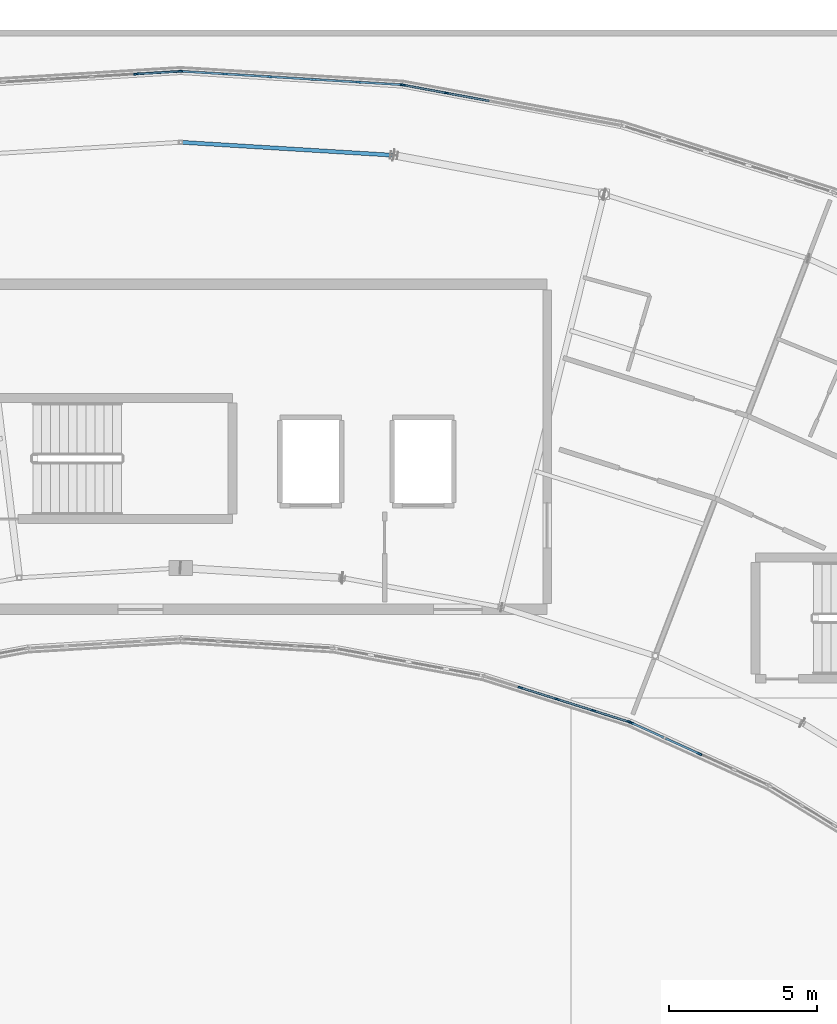
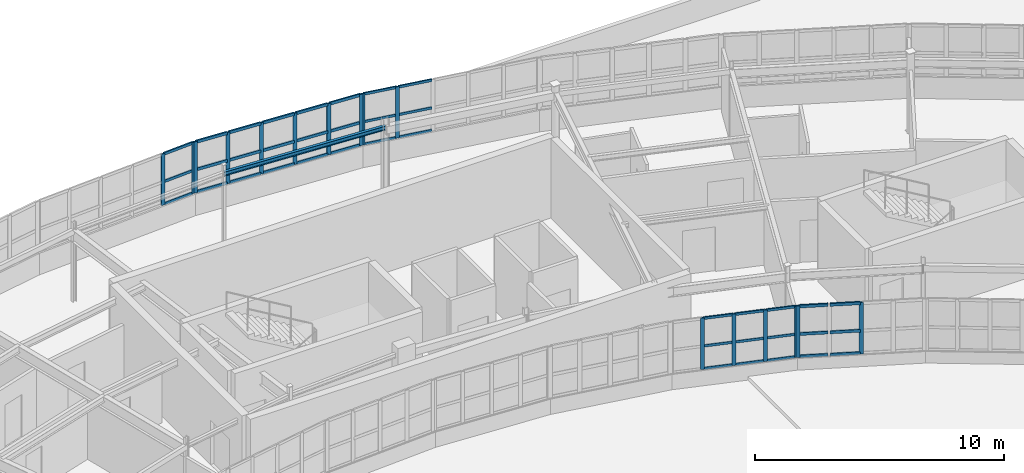
# One storey, part 47 of 128: 55 members, 1 beam, 5 elements without a shape of their own.
"""IFC4 building model written with IfcOpenShell, lengths in metres."""

from ifc_helpers import new_model, si_unit, direction, frame, origin, origin_2d, place, context, subcontext, project, spatial, rectangle, i_section, extrude, material, layer, layer_set, material_profile, profile_set, type_object, element, aggregate, save


model = new_model("IFC4")

# Units and contexts
model_context = context("Model", 3, precision=1e-05, world=origin(), true_north=direction((0.0, 1.0)))
body_context = subcontext(model_context, "Body", "Model", "MODEL_VIEW")
ifc_project = project(units=[si_unit("LENGTHUNIT", "METRE"), si_unit("AREAUNIT", "SQUARE_METRE"), si_unit("VOLUMEUNIT", "CUBIC_METRE"), si_unit("PLANEANGLEUNIT", "RADIAN"), si_unit("MASSUNIT", "GRAM", prefix="KILO")], contexts=[model_context])

# Site, building, storey
site_placement = place(None, origin())
site = spatial("IfcSite", under=ifc_project, at=site_placement, CompositionType="ELEMENT")
building_placement = place(site_placement, origin())
building = spatial("IfcBuilding", under=site, at=building_placement, Name="Tarnwether General Hospital", CompositionType="ELEMENT")
storey_placement = place(building_placement, frame((0.0, 0.0, 14.39990234375)))
storey = spatial("IfcBuildingStorey", under=building, at=storey_placement, Name="L03", CompositionType="ELEMENT", Elevation=14.39990234375)

# Beam
ifc_material_1 = material(Name="Steel Grade 350 (350 MPa)", Category="steel")
ifc_material_profile_1 = material_profile(ifc_material_1, i_section(OverallWidth=0.133056640625, OverallDepth=0.201904296875, WebThickness=0.0048828125, FlangeThickness=0.007080078125, at=origin_2d()), Name="200UB22.3")
ifc_profile_set_1 = profile_set([ifc_material_profile_1], Name="Steel Grade 350 (350 MPa)")
beam_type = type_object("IfcBeamType", Name="BM-SP6", PredefinedType="SPANDREL", material=ifc_profile_set_1)
beam_placement = place(storey_placement, frame((92.0, 122.199951171875, 3.458984375), z_axis=(0.998137964221, -0.060996757127, 0.0), x_axis=(0.060996757127, 0.998137964221, 0.0)))
element("IfcBeam", 1, at=beam_placement, inside=storey, type_object=beam_type, Name="Curved Ward NW Outer Spandrel BMG-L03-9200_12220-9922_12176-1937", PredefinedType="SPANDREL", context=body_context, shape_type="SweptSolid", body=[
    extrude(i_section(OverallWidth=0.133056640625, OverallDepth=0.201904296875, WebThickness=0.0048828125, FlangeThickness=0.007080078125, at=origin_2d()), origin(), (0.0, 0.0, 1.0), 7.228515625),
])

# Curtain wall, members
ifc_material_2 = material(Name="Anodised aluminium", Category="aluminium")
ifc_layer_1 = layer(ifc_material_2, 0.159912109375)
ifc_layer_set_1 = layer_set([ifc_layer_1], Name="Anodised aluminium")
curtain_wall_type_1 = type_object("IfcCurtainWallType", Name="CW-03", PredefinedType="NOTDEFINED", material=ifc_layer_set_1)
curtain_wall_1_placement = place(storey_placement, origin())
curtain_wall_1 = element("IfcCurtainWall", 2, at=curtain_wall_1_placement, inside=storey, type_object=curtain_wall_type_1, Name="Curtain Wall CWG-L03-1072_1026-0013", PredefinedType="NOTDEFINED")
ifc_material_3 = material(Name="Anodised aluminium", Category="aluminium")
ifc_material_profile_2 = material_profile(ifc_material_3, rectangle(XDim=0.06005859375, YDim=0.159912109375, at=origin_2d()), Name="ALU-MUL-60x160")
ifc_profile_set_2 = profile_set([ifc_material_profile_2], Name="Anodised aluminium")
member_type_1 = type_object("IfcMemberType", Name="CW-ML1", PredefinedType="MULLION", material=ifc_profile_set_2)
member_1_placement = place(storey_placement, frame((107.16650390625, 102.593017578125, 1.050048828125), z_axis=(0.0, 0.0, 1.0), x_axis=(-0.30071538783, -0.953713927508, 0.0)))
member_1 = element("IfcMember", 3, at=member_1_placement, type_object=member_type_1, Name="CW-03 mullion 1", PredefinedType="MULLION", context=body_context, shape_type="SweptSolid", body=[
    extrude(rectangle(XDim=0.06005859375, YDim=0.159912109375, at=origin_2d()), origin(), (0.0, 0.0, 1.0), 2.510009765625),
])
member_2_placement = place(storey_placement, frame((105.96044921875, 102.97314453125, 1.050048828125), z_axis=(0.0, 0.0, 1.0), x_axis=(-0.30071538783, -0.953713927508, 0.0)))
member_2 = element("IfcMember", 4, at=member_2_placement, type_object=member_type_1, Name="CW-03 mullion 2", PredefinedType="MULLION", context=body_context, shape_type="SweptSolid", body=[
    extrude(rectangle(XDim=0.06005859375, YDim=0.159912109375, at=origin_2d()), origin(), (0.0, 0.0, 1.0), 2.510009765625),
])
member_3_placement = place(storey_placement, frame((104.72607421875, 103.362548828125, 1.050048828125), z_axis=(0.0, 0.0, 1.0), x_axis=(-0.30071538783, -0.953713927508, 0.0)))
member_3 = element("IfcMember", 5, at=member_3_placement, type_object=member_type_1, Name="CW-03 mullion 3", PredefinedType="MULLION", context=body_context, shape_type="SweptSolid", body=[
    extrude(rectangle(XDim=0.06005859375, YDim=0.159912109375, at=origin_2d()), origin(), (0.0, 0.0, 1.0), 2.510009765625),
])
member_4_placement = place(storey_placement, frame((103.491455078125, 103.751708984375, 1.050048828125), z_axis=(0.0, 0.0, 1.0), x_axis=(-0.30071538783, -0.953713927508, 0.0)))
member_4 = element("IfcMember", 6, at=member_4_placement, type_object=member_type_1, Name="CW-03 mullion 4", PredefinedType="MULLION", context=body_context, shape_type="SweptSolid", body=[
    extrude(rectangle(XDim=0.06005859375, YDim=0.159912109375, at=origin_2d()), origin(), (0.0, 0.0, 1.0), 2.510009765625),
])

ifc_material_4 = material(Name="Anodised aluminium", Category="aluminium")
ifc_layer_2 = layer(ifc_material_4, 0.159912109375)
ifc_layer_set_2 = layer_set([ifc_layer_2], Name="Anodised aluminium")
curtain_wall_type_2 = type_object("IfcCurtainWallType", Name="CW-01", PredefinedType="NOTDEFINED", material=ifc_layer_set_2)
curtain_wall_2_placement = place(storey_placement, origin())
curtain_wall_2 = element("IfcCurtainWall", 7, at=curtain_wall_2_placement, inside=storey, type_object=curtain_wall_type_2, Name="Curtain Wall CWG-L03-995_1241-0025", PredefinedType="NOTDEFINED")
member_5_placement = place(storey_placement, frame((99.536376953125, 124.135498046875, 1.050048828125), z_axis=(0.0, 0.0, 1.0), x_axis=(0.182289226614, 0.983244953132, 0.0)))
member_5 = element("IfcMember", 8, at=member_5_placement, type_object=member_type_1, Name="CW-01 mullion 1", PredefinedType="MULLION", context=body_context, shape_type="SweptSolid", body=[
    extrude(rectangle(XDim=0.06005859375, YDim=0.159912109375, at=origin_2d()), origin(), (0.0, 0.0, 1.0), 2.510009765625),
])
member_6_placement = place(storey_placement, frame((100.986083984375, 123.86669921875, 1.050048828125), z_axis=(0.0, 0.0, 1.0), x_axis=(0.182289226614, 0.983244953132, 0.0)))
member_6 = element("IfcMember", 9, at=member_6_placement, type_object=member_type_1, Name="CW-01 mullion 2", PredefinedType="MULLION", context=body_context, shape_type="SweptSolid", body=[
    extrude(rectangle(XDim=0.06005859375, YDim=0.159912109375, at=origin_2d()), origin(), (0.0, 0.0, 1.0), 2.510009765625),
])

curtain_wall_3_placement = place(storey_placement, origin())
curtain_wall_3 = element("IfcCurtainWall", 10, at=curtain_wall_3_placement, inside=storey, type_object=curtain_wall_type_1, Name="Curtain Wall CWG-L03-1119_1004-0014", PredefinedType="NOTDEFINED")
ifc_material_5 = material(Name="Anodised aluminium", Category="aluminium")
ifc_material_profile_3 = material_profile(ifc_material_5, rectangle(XDim=0.070068359375, YDim=0.179931640625, at=origin_2d()), Name="ALU-MUL-70x180")
ifc_profile_set_3 = profile_set([ifc_material_profile_3], Name="Anodised aluminium")
member_type_2 = type_object("IfcMemberType", Name="CW-ML2", PredefinedType="MULLION", material=ifc_profile_set_3)
member_7_placement = place(storey_placement, frame((109.550537109375, 101.510498046875, 1.050048828125), z_axis=(0.0, 0.0, 1.0), x_axis=(-0.41470501572, -0.90995590549, 0.0)))
member_7 = element("IfcMember", 11, at=member_7_placement, type_object=member_type_2, Name="CW-03 mullion 3", PredefinedType="MULLION", context=body_context, shape_type="SweptSolid", body=[
    extrude(rectangle(XDim=0.070068359375, YDim=0.179931640625, at=origin_2d()), origin(), (0.0, 0.0, 1.0), 2.510009765625),
])
member_8_placement = place(storey_placement, frame((107.226806640625, 102.569580078125, 1.050048828125), z_axis=(0.0, 0.0, 1.0), x_axis=(-0.41470501572, -0.90995590549, 0.0)))
member_8 = element("IfcMember", 12, at=member_8_placement, type_object=member_type_2, Name="CW-03 mullion 5", PredefinedType="MULLION", context=body_context, shape_type="SweptSolid", body=[
    extrude(rectangle(XDim=0.070068359375, YDim=0.179931640625, at=origin_2d()), origin(), (0.0, 0.0, 1.0), 2.510009765625),
])

curtain_wall_4_placement = place(storey_placement, origin())
curtain_wall_4 = element("IfcCurtainWall", 13, at=curtain_wall_4_placement, inside=storey, type_object=curtain_wall_type_2, Name="Curtain Wall CWG-L03-920_1246-0026", PredefinedType="NOTDEFINED")
member_9_placement = place(storey_placement, frame((92.034912109375, 124.597900390625, 1.050048828125), z_axis=(0.0, 0.0, 1.0), x_axis=(0.061028962567, 0.998135995608, 0.0)))
member_9 = element("IfcMember", 14, at=member_9_placement, type_object=member_type_2, Name="CW-01 mullion 1", PredefinedType="MULLION", context=body_context, shape_type="SweptSolid", body=[
    extrude(rectangle(XDim=0.070068359375, YDim=0.179931640625, at=origin_2d()), origin(), (0.0, 0.0, 1.0), 2.510009765625),
])
member_10_placement = place(storey_placement, frame((93.50146484375, 124.50830078125, 1.050048828125), z_axis=(0.0, 0.0, 1.0), x_axis=(0.061028962567, 0.998135995608, 0.0)))
member_10 = element("IfcMember", 15, at=member_10_placement, type_object=member_type_2, Name="CW-01 mullion 2", PredefinedType="MULLION", context=body_context, shape_type="SweptSolid", body=[
    extrude(rectangle(XDim=0.070068359375, YDim=0.179931640625, at=origin_2d()), origin(), (0.0, 0.0, 1.0), 2.510009765625),
])
member_11_placement = place(storey_placement, frame((95.002685546875, 124.41650390625, 1.050048828125), z_axis=(0.0, 0.0, 1.0), x_axis=(0.061028962567, 0.998135995608, 0.0)))
member_11 = element("IfcMember", 16, at=member_11_placement, type_object=member_type_2, Name="CW-01 mullion 3", PredefinedType="MULLION", context=body_context, shape_type="SweptSolid", body=[
    extrude(rectangle(XDim=0.070068359375, YDim=0.179931640625, at=origin_2d()), origin(), (0.0, 0.0, 1.0), 2.510009765625),
])
member_12_placement = place(storey_placement, frame((96.504150390625, 124.32470703125, 1.050048828125), z_axis=(0.0, 0.0, 1.0), x_axis=(0.061028962567, 0.998135995608, 0.0)))
member_12 = element("IfcMember", 17, at=member_12_placement, type_object=member_type_2, Name="CW-01 mullion 4", PredefinedType="MULLION", context=body_context, shape_type="SweptSolid", body=[
    extrude(rectangle(XDim=0.070068359375, YDim=0.179931640625, at=origin_2d()), origin(), (0.0, 0.0, 1.0), 2.510009765625),
])
member_13_placement = place(storey_placement, frame((98.005615234375, 124.23291015625, 1.050048828125), z_axis=(0.0, 0.0, 1.0), x_axis=(0.061028962567, 0.998135995608, 0.0)))
member_13 = element("IfcMember", 18, at=member_13_placement, type_object=member_type_2, Name="CW-01 mullion 5", PredefinedType="MULLION", context=body_context, shape_type="SweptSolid", body=[
    extrude(rectangle(XDim=0.070068359375, YDim=0.179931640625, at=origin_2d()), origin(), (0.0, 0.0, 1.0), 2.510009765625),
])
member_14_placement = place(storey_placement, frame((99.47216796875, 124.14306640625, 1.050048828125), z_axis=(0.0, 0.0, 1.0), x_axis=(0.061028962567, 0.998135995608, 0.0)))
member_14 = element("IfcMember", 19, at=member_14_placement, type_object=member_type_2, Name="CW-01 mullion 6", PredefinedType="MULLION", context=body_context, shape_type="SweptSolid", body=[
    extrude(rectangle(XDim=0.070068359375, YDim=0.179931640625, at=origin_2d()), origin(), (0.0, 0.0, 1.0), 2.510009765625),
])

curtain_wall_5_placement = place(storey_placement, origin())
curtain_wall_5 = element("IfcCurtainWall", 20, at=curtain_wall_5_placement, inside=storey, type_object=curtain_wall_type_2, Name="Curtain Wall CWG-L03-845_1241-0027", PredefinedType="NOTDEFINED")
ifc_material_6 = material(Name="Anodised aluminium", Category="aluminium")
ifc_material_profile_4 = material_profile(ifc_material_6, rectangle(XDim=0.06494140625, YDim=0.169921875, at=origin_2d()), Name="ALU-MUL-65x170")
ifc_profile_set_4 = profile_set([ifc_material_profile_4], Name="Anodised aluminium")
member_type_3 = type_object("IfcMemberType", Name="CW-ML3", PredefinedType="MULLION", material=ifc_profile_set_4)
member_15_placement = place(storey_placement, frame((90.49853515625, 124.50830078125, 1.050048828125), z_axis=(0.0, 0.0, 1.0), x_axis=(-0.061028962567, 0.998135995608, 0.0)))
member_15 = element("IfcMember", 21, at=member_15_placement, type_object=member_type_3, Name="CW-01 mullion 5", PredefinedType="MULLION", context=body_context, shape_type="SweptSolid", body=[
    extrude(rectangle(XDim=0.06494140625, YDim=0.169921875, at=origin_2d()), origin(), (0.0, 0.0, 1.0), 2.510009765625),
])
member_16_placement = place(storey_placement, frame((91.967529296875, 124.597900390625, 1.050048828125), z_axis=(0.0, 0.0, 1.0), x_axis=(-0.061028962567, 0.998135995608, 0.0)))
member_16 = element("IfcMember", 22, at=member_16_placement, type_object=member_type_3, Name="CW-01 mullion 6", PredefinedType="MULLION", context=body_context, shape_type="SweptSolid", body=[
    extrude(rectangle(XDim=0.06494140625, YDim=0.169921875, at=origin_2d()), origin(), (0.0, 0.0, 1.0), 2.510009765625),
])

# Member
ifc_material_7 = material(Name="Anodised aluminium", Category="aluminium")
ifc_material_profile_5 = material_profile(ifc_material_7, rectangle(XDim=0.06005859375, YDim=0.1201171875, at=origin_2d()), Name="ALU-TRN-60x120")
ifc_profile_set_5 = profile_set([ifc_material_profile_5], Name="Anodised aluminium")
member_type_4 = type_object("IfcMemberType", Name="CW-TR1", PredefinedType="USERDEFINED", material=ifc_profile_set_5)
member_17_placement = place(storey_placement, frame((107.1376953125, 102.60205078125, 1.080078125), z_axis=(-0.953744897791, 0.300617148443, 0.0), x_axis=(-0.300617148443, -0.953744897791, 0.0)))
member_17 = element("IfcMember", 23, at=member_17_placement, type_object=member_type_4, Name="CW-03 transom 1.1", ObjectType="TRANSOM", PredefinedType="USERDEFINED", context=body_context, shape_type="SweptSolid", body=[
    extrude(rectangle(XDim=0.06005859375, YDim=0.1201171875, at=origin_2d()), origin(), (0.0, 0.0, 1.0), 1.204345703125),
])

member_18_placement = place(storey_placement, frame((107.1376953125, 102.60205078125, 2.1796875), z_axis=(-0.953744897791, 0.300617148443, 0.0), x_axis=(-0.300617148443, -0.953744897791, 0.0)))
member_18 = element("IfcMember", 24, at=member_18_placement, type_object=member_type_4, Name="CW-03 transom 1.2", ObjectType="TRANSOM", PredefinedType="USERDEFINED", context=body_context, shape_type="SweptSolid", body=[
    extrude(rectangle(XDim=0.06005859375, YDim=0.1201171875, at=origin_2d()), origin(), (0.0, 0.0, 1.0), 1.204345703125),
])

member_19_placement = place(storey_placement, frame((107.1376953125, 102.60205078125, 3.530029296875), z_axis=(-0.953744897791, 0.300617148443, 0.0), x_axis=(-0.300617148443, -0.953744897791, 0.0)))
member_19 = element("IfcMember", 25, at=member_19_placement, type_object=member_type_4, Name="CW-03 transom 1.3", ObjectType="TRANSOM", PredefinedType="USERDEFINED", context=body_context, shape_type="SweptSolid", body=[
    extrude(rectangle(XDim=0.06005859375, YDim=0.1201171875, at=origin_2d()), origin(), (0.0, 0.0, 1.0), 1.204345703125),
])

member_20_placement = place(storey_placement, frame((105.931884765625, 102.982177734375, 1.080078125), z_axis=(-0.953681253444, 0.300818993465, 0.0), x_axis=(-0.300818993465, -0.953681253444, 0.0)))
member_20 = element("IfcMember", 26, at=member_20_placement, type_object=member_type_4, Name="CW-03 transom 2.1", ObjectType="TRANSOM", PredefinedType="USERDEFINED", context=body_context, shape_type="SweptSolid", body=[
    extrude(rectangle(XDim=0.06005859375, YDim=0.1201171875, at=origin_2d()), origin(), (0.0, 0.0, 1.0), 1.234375),
])

member_21_placement = place(storey_placement, frame((105.931884765625, 102.982177734375, 2.1796875), z_axis=(-0.953681253444, 0.300818993465, 0.0), x_axis=(-0.300818993465, -0.953681253444, 0.0)))
member_21 = element("IfcMember", 27, at=member_21_placement, type_object=member_type_4, Name="CW-03 transom 2.2", ObjectType="TRANSOM", PredefinedType="USERDEFINED", context=body_context, shape_type="SweptSolid", body=[
    extrude(rectangle(XDim=0.06005859375, YDim=0.1201171875, at=origin_2d()), origin(), (0.0, 0.0, 1.0), 1.234375),
])

member_22_placement = place(storey_placement, frame((105.931884765625, 102.982177734375, 3.530029296875), z_axis=(-0.953681253444, 0.300818993465, 0.0), x_axis=(-0.300818993465, -0.953681253444, 0.0)))
member_22 = element("IfcMember", 28, at=member_22_placement, type_object=member_type_4, Name="CW-03 transom 2.3", ObjectType="TRANSOM", PredefinedType="USERDEFINED", context=body_context, shape_type="SweptSolid", body=[
    extrude(rectangle(XDim=0.06005859375, YDim=0.1201171875, at=origin_2d()), origin(), (0.0, 0.0, 1.0), 1.234375),
])

member_23_placement = place(storey_placement, frame((104.697509765625, 103.37158203125, 1.080078125), z_axis=(-0.953755851093, 0.300582395534, 0.0), x_axis=(-0.300582395534, -0.953755851093, 0.0)))
member_23 = element("IfcMember", 29, at=member_23_placement, type_object=member_type_4, Name="CW-03 transom 3.1", ObjectType="TRANSOM", PredefinedType="USERDEFINED", context=body_context, shape_type="SweptSolid", body=[
    extrude(rectangle(XDim=0.06005859375, YDim=0.1201171875, at=origin_2d()), origin(), (0.0, 0.0, 1.0), 1.234619140625),
])

member_24_placement = place(storey_placement, frame((104.697509765625, 103.37158203125, 2.1796875), z_axis=(-0.953755851093, 0.300582395534, 0.0), x_axis=(-0.300582395534, -0.953755851093, 0.0)))
member_24 = element("IfcMember", 30, at=member_24_placement, type_object=member_type_4, Name="CW-03 transom 3.2", ObjectType="TRANSOM", PredefinedType="USERDEFINED", context=body_context, shape_type="SweptSolid", body=[
    extrude(rectangle(XDim=0.06005859375, YDim=0.1201171875, at=origin_2d()), origin(), (0.0, 0.0, 1.0), 1.234619140625),
])

member_25_placement = place(storey_placement, frame((104.697509765625, 103.37158203125, 3.530029296875), z_axis=(-0.953755851093, 0.300582395534, 0.0), x_axis=(-0.300582395534, -0.953755851093, 0.0)))
member_25 = element("IfcMember", 31, at=member_25_placement, type_object=member_type_4, Name="CW-03 transom 3.3", ObjectType="TRANSOM", PredefinedType="USERDEFINED", context=body_context, shape_type="SweptSolid", body=[
    extrude(rectangle(XDim=0.06005859375, YDim=0.1201171875, at=origin_2d()), origin(), (0.0, 0.0, 1.0), 1.234619140625),
])

aggregate(curtain_wall_1, [member_1, member_2, member_3, member_4, member_17, member_18, member_19, member_20, member_21, member_22, member_23, member_24, member_25])

member_26_placement = place(storey_placement, frame((99.56591796875, 124.130126953125, 1.080078125), z_axis=(0.983245354782, -0.182287060156, 0.0), x_axis=(0.182287060156, 0.983245354782, 0.0)))
member_26 = element("IfcMember", 32, at=member_26_placement, type_object=member_type_4, Name="CW-01 transom 1.1", ObjectType="TRANSOM", PredefinedType="USERDEFINED", context=body_context, shape_type="SweptSolid", body=[
    extrude(rectangle(XDim=0.06005859375, YDim=0.1201171875, at=origin_2d()), origin(), (0.0, 0.0, 1.0), 1.414306640625),
])

member_27_placement = place(storey_placement, frame((99.56591796875, 124.130126953125, 2.1796875), z_axis=(0.983245354782, -0.182287060156, 0.0), x_axis=(0.182287060156, 0.983245354782, 0.0)))
member_27 = element("IfcMember", 33, at=member_27_placement, type_object=member_type_4, Name="CW-01 transom 1.2", ObjectType="TRANSOM", PredefinedType="USERDEFINED", context=body_context, shape_type="SweptSolid", body=[
    extrude(rectangle(XDim=0.06005859375, YDim=0.1201171875, at=origin_2d()), origin(), (0.0, 0.0, 1.0), 1.414306640625),
])

member_28_placement = place(storey_placement, frame((99.56591796875, 124.130126953125, 3.530029296875), z_axis=(0.983245354782, -0.182287060156, 0.0), x_axis=(0.182287060156, 0.983245354782, 0.0)))
member_28 = element("IfcMember", 34, at=member_28_placement, type_object=member_type_4, Name="CW-01 transom 1.3", ObjectType="TRANSOM", PredefinedType="USERDEFINED", context=body_context, shape_type="SweptSolid", body=[
    extrude(rectangle(XDim=0.06005859375, YDim=0.1201171875, at=origin_2d()), origin(), (0.0, 0.0, 1.0), 1.414306640625),
])

member_29_placement = place(storey_placement, frame((101.015380859375, 123.861328125, 1.080078125), z_axis=(0.983258457846, -0.182216368843, 0.0), x_axis=(0.182216368843, 0.983258457846, 0.0)))
member_29 = element("IfcMember", 35, at=member_29_placement, type_object=member_type_4, Name="CW-01 transom 2.1", ObjectType="TRANSOM", PredefinedType="USERDEFINED", context=body_context, shape_type="SweptSolid", body=[
    extrude(rectangle(XDim=0.06005859375, YDim=0.1201171875, at=origin_2d()), origin(), (0.0, 0.0, 1.0), 1.4443359375),
])

member_30_placement = place(storey_placement, frame((101.015380859375, 123.861328125, 2.1796875), z_axis=(0.983258457846, -0.182216368843, 0.0), x_axis=(0.182216368843, 0.983258457846, 0.0)))
member_30 = element("IfcMember", 36, at=member_30_placement, type_object=member_type_4, Name="CW-01 transom 2.2", ObjectType="TRANSOM", PredefinedType="USERDEFINED", context=body_context, shape_type="SweptSolid", body=[
    extrude(rectangle(XDim=0.06005859375, YDim=0.1201171875, at=origin_2d()), origin(), (0.0, 0.0, 1.0), 1.4443359375),
])

member_31_placement = place(storey_placement, frame((101.015380859375, 123.861328125, 3.530029296875), z_axis=(0.983258457846, -0.182216368843, 0.0), x_axis=(0.182216368843, 0.983258457846, 0.0)))
member_31 = element("IfcMember", 37, at=member_31_placement, type_object=member_type_4, Name="CW-01 transom 2.3", ObjectType="TRANSOM", PredefinedType="USERDEFINED", context=body_context, shape_type="SweptSolid", body=[
    extrude(rectangle(XDim=0.06005859375, YDim=0.1201171875, at=origin_2d()), origin(), (0.0, 0.0, 1.0), 1.4443359375),
])

aggregate(curtain_wall_2, [member_5, member_6, member_26, member_27, member_28, member_29, member_30, member_31])

ifc_material_8 = material(Name="Anodised aluminium", Category="aluminium")
ifc_material_profile_6 = material_profile(ifc_material_8, rectangle(XDim=0.070068359375, YDim=0.139892578125, at=origin_2d()), Name="ALU-TRN-70x140")
ifc_profile_set_6 = profile_set([ifc_material_profile_6], Name="Anodised aluminium")
member_type_5 = type_object("IfcMemberType", Name="CW-TR2", PredefinedType="USERDEFINED", material=ifc_profile_set_6)
member_32_placement = place(storey_placement, frame((109.5185546875, 101.52490234375, 1.085205078125), z_axis=(-0.909922054597, 0.414779284147, 0.0), x_axis=(-0.414779284147, -0.909922054597, 0.0)))
member_32 = element("IfcMember", 38, at=member_32_placement, type_object=member_type_5, Name="CW-03 transom 3.1", ObjectType="TRANSOM", PredefinedType="USERDEFINED", context=body_context, shape_type="SweptSolid", body=[
    extrude(rectangle(XDim=0.070068359375, YDim=0.139892578125, at=origin_2d()), origin(), (0.0, 0.0, 1.0), 1.224365234375),
])

member_33_placement = place(storey_placement, frame((109.5185546875, 101.52490234375, 2.1796875), z_axis=(-0.909922054597, 0.414779284147, 0.0), x_axis=(-0.414779284147, -0.909922054597, 0.0)))
member_33 = element("IfcMember", 39, at=member_33_placement, type_object=member_type_5, Name="CW-03 transom 3.2", ObjectType="TRANSOM", PredefinedType="USERDEFINED", context=body_context, shape_type="SweptSolid", body=[
    extrude(rectangle(XDim=0.070068359375, YDim=0.139892578125, at=origin_2d()), origin(), (0.0, 0.0, 1.0), 1.224365234375),
])

member_34_placement = place(storey_placement, frame((109.5185546875, 101.52490234375, 3.525146484375), z_axis=(-0.909922054597, 0.414779284147, 0.0), x_axis=(-0.414779284147, -0.909922054597, 0.0)))
member_34 = element("IfcMember", 40, at=member_34_placement, type_object=member_type_5, Name="CW-03 transom 3.3", ObjectType="TRANSOM", PredefinedType="USERDEFINED", context=body_context, shape_type="SweptSolid", body=[
    extrude(rectangle(XDim=0.070068359375, YDim=0.139892578125, at=origin_2d()), origin(), (0.0, 0.0, 1.0), 1.224365234375),
])

member_35_placement = place(storey_placement, frame((108.3408203125, 102.061767578125, 1.085205078125), z_axis=(-0.909944129752, 0.414730853362, 0.0), x_axis=(-0.414730853362, -0.909944129752, 0.0)))
member_35 = element("IfcMember", 41, at=member_35_placement, type_object=member_type_5, Name="CW-03 transom 4.1", ObjectType="TRANSOM", PredefinedType="USERDEFINED", context=body_context, shape_type="SweptSolid", body=[
    extrude(rectangle(XDim=0.070068359375, YDim=0.139892578125, at=origin_2d()), origin(), (0.0, 0.0, 1.0), 1.189208984375),
])

member_36_placement = place(storey_placement, frame((108.3408203125, 102.061767578125, 2.1796875), z_axis=(-0.909944129752, 0.414730853362, 0.0), x_axis=(-0.414730853362, -0.909944129752, 0.0)))
member_36 = element("IfcMember", 42, at=member_36_placement, type_object=member_type_5, Name="CW-03 transom 4.2", ObjectType="TRANSOM", PredefinedType="USERDEFINED", context=body_context, shape_type="SweptSolid", body=[
    extrude(rectangle(XDim=0.070068359375, YDim=0.139892578125, at=origin_2d()), origin(), (0.0, 0.0, 1.0), 1.189208984375),
])

member_37_placement = place(storey_placement, frame((108.3408203125, 102.061767578125, 3.525146484375), z_axis=(-0.909944129752, 0.414730853362, 0.0), x_axis=(-0.414730853362, -0.909944129752, 0.0)))
member_37 = element("IfcMember", 43, at=member_37_placement, type_object=member_type_5, Name="CW-03 transom 4.3", ObjectType="TRANSOM", PredefinedType="USERDEFINED", context=body_context, shape_type="SweptSolid", body=[
    extrude(rectangle(XDim=0.070068359375, YDim=0.139892578125, at=origin_2d()), origin(), (0.0, 0.0, 1.0), 1.189208984375),
])

aggregate(curtain_wall_3, [member_7, member_8, member_32, member_33, member_34, member_35, member_36, member_37])

member_38_placement = place(storey_placement, frame((92.06982421875, 124.595703125, 1.085205078125), z_axis=(0.998133855848, -0.061063948531, 0.0), x_axis=(0.061063948531, 0.998133855848, 0.0)))
member_38 = element("IfcMember", 44, at=member_38_placement, type_object=member_type_5, Name="CW-01 transom 1.1", ObjectType="TRANSOM", PredefinedType="USERDEFINED", context=body_context, shape_type="SweptSolid", body=[
    extrude(rectangle(XDim=0.070068359375, YDim=0.139892578125, at=origin_2d()), origin(), (0.0, 0.0, 1.0), 1.3994140625),
])

member_39_placement = place(storey_placement, frame((92.06982421875, 124.595703125, 2.1796875), z_axis=(0.998133855848, -0.061063948531, 0.0), x_axis=(0.061063948531, 0.998133855848, 0.0)))
member_39 = element("IfcMember", 45, at=member_39_placement, type_object=member_type_5, Name="CW-01 transom 1.2", ObjectType="TRANSOM", PredefinedType="USERDEFINED", context=body_context, shape_type="SweptSolid", body=[
    extrude(rectangle(XDim=0.070068359375, YDim=0.139892578125, at=origin_2d()), origin(), (0.0, 0.0, 1.0), 1.3994140625),
])

member_40_placement = place(storey_placement, frame((92.06982421875, 124.595703125, 3.525146484375), z_axis=(0.998133855848, -0.061063948531, 0.0), x_axis=(0.061063948531, 0.998133855848, 0.0)))
member_40 = element("IfcMember", 46, at=member_40_placement, type_object=member_type_5, Name="CW-01 transom 1.3", ObjectType="TRANSOM", PredefinedType="USERDEFINED", context=body_context, shape_type="SweptSolid", body=[
    extrude(rectangle(XDim=0.070068359375, YDim=0.139892578125, at=origin_2d()), origin(), (0.0, 0.0, 1.0), 1.3994140625),
])

member_41_placement = place(storey_placement, frame((93.536376953125, 124.506103515625, 1.085205078125), z_axis=(0.998130609701, -0.061116985994, 0.0), x_axis=(0.061116985994, 0.998130609701, 0.0)))
member_41 = element("IfcMember", 47, at=member_41_placement, type_object=member_type_5, Name="CW-01 transom 2.1", ObjectType="TRANSOM", PredefinedType="USERDEFINED", context=body_context, shape_type="SweptSolid", body=[
    extrude(rectangle(XDim=0.070068359375, YDim=0.139892578125, at=origin_2d()), origin(), (0.0, 0.0, 1.0), 1.43408203125),
])

member_42_placement = place(storey_placement, frame((93.536376953125, 124.506103515625, 2.1796875), z_axis=(0.998130609701, -0.061116985994, 0.0), x_axis=(0.061116985994, 0.998130609701, 0.0)))
member_42 = element("IfcMember", 48, at=member_42_placement, type_object=member_type_5, Name="CW-01 transom 2.2", ObjectType="TRANSOM", PredefinedType="USERDEFINED", context=body_context, shape_type="SweptSolid", body=[
    extrude(rectangle(XDim=0.070068359375, YDim=0.139892578125, at=origin_2d()), origin(), (0.0, 0.0, 1.0), 1.43408203125),
])

member_43_placement = place(storey_placement, frame((93.536376953125, 124.506103515625, 3.525146484375), z_axis=(0.998130609701, -0.061116985994, 0.0), x_axis=(0.061116985994, 0.998130609701, 0.0)))
member_43 = element("IfcMember", 49, at=member_43_placement, type_object=member_type_5, Name="CW-01 transom 2.3", ObjectType="TRANSOM", PredefinedType="USERDEFINED", context=body_context, shape_type="SweptSolid", body=[
    extrude(rectangle(XDim=0.070068359375, YDim=0.139892578125, at=origin_2d()), origin(), (0.0, 0.0, 1.0), 1.43408203125),
])

member_44_placement = place(storey_placement, frame((95.037841796875, 124.414306640625, 1.085205078125), z_axis=(0.998130609701, -0.061116985994, 0.0), x_axis=(0.061116985994, 0.998130609701, 0.0)))
member_44 = element("IfcMember", 50, at=member_44_placement, type_object=member_type_5, Name="CW-01 transom 3.1", ObjectType="TRANSOM", PredefinedType="USERDEFINED", context=body_context, shape_type="SweptSolid", body=[
    extrude(rectangle(XDim=0.070068359375, YDim=0.139892578125, at=origin_2d()), origin(), (0.0, 0.0, 1.0), 1.43408203125),
])

member_45_placement = place(storey_placement, frame((95.037841796875, 124.414306640625, 2.1796875), z_axis=(0.998130609701, -0.061116985994, 0.0), x_axis=(0.061116985994, 0.998130609701, 0.0)))
member_45 = element("IfcMember", 51, at=member_45_placement, type_object=member_type_5, Name="CW-01 transom 3.2", ObjectType="TRANSOM", PredefinedType="USERDEFINED", context=body_context, shape_type="SweptSolid", body=[
    extrude(rectangle(XDim=0.070068359375, YDim=0.139892578125, at=origin_2d()), origin(), (0.0, 0.0, 1.0), 1.43408203125),
])

member_46_placement = place(storey_placement, frame((95.037841796875, 124.414306640625, 3.525146484375), z_axis=(0.998130609701, -0.061116985994, 0.0), x_axis=(0.061116985994, 0.998130609701, 0.0)))
member_46 = element("IfcMember", 52, at=member_46_placement, type_object=member_type_5, Name="CW-01 transom 3.3", ObjectType="TRANSOM", PredefinedType="USERDEFINED", context=body_context, shape_type="SweptSolid", body=[
    extrude(rectangle(XDim=0.070068359375, YDim=0.139892578125, at=origin_2d()), origin(), (0.0, 0.0, 1.0), 1.43408203125),
])

member_47_placement = place(storey_placement, frame((96.5390625, 124.322509765625, 1.085205078125), z_axis=(0.998131245443, -0.061106602509, 0.0), x_axis=(0.061106602509, 0.998131245443, 0.0)))
member_47 = element("IfcMember", 53, at=member_47_placement, type_object=member_type_5, Name="CW-01 transom 4.1", ObjectType="TRANSOM", PredefinedType="USERDEFINED", context=body_context, shape_type="SweptSolid", body=[
    extrude(rectangle(XDim=0.070068359375, YDim=0.139892578125, at=origin_2d()), origin(), (0.0, 0.0, 1.0), 1.434326171875),
])

member_48_placement = place(storey_placement, frame((96.5390625, 124.322509765625, 2.1796875), z_axis=(0.998131245443, -0.061106602509, 0.0), x_axis=(0.061106602509, 0.998131245443, 0.0)))
member_48 = element("IfcMember", 54, at=member_48_placement, type_object=member_type_5, Name="CW-01 transom 4.2", ObjectType="TRANSOM", PredefinedType="USERDEFINED", context=body_context, shape_type="SweptSolid", body=[
    extrude(rectangle(XDim=0.070068359375, YDim=0.139892578125, at=origin_2d()), origin(), (0.0, 0.0, 1.0), 1.434326171875),
])

member_49_placement = place(storey_placement, frame((96.5390625, 124.322509765625, 3.525146484375), z_axis=(0.998131245443, -0.061106602509, 0.0), x_axis=(0.061106602509, 0.998131245443, 0.0)))
member_49 = element("IfcMember", 55, at=member_49_placement, type_object=member_type_5, Name="CW-01 transom 4.3", ObjectType="TRANSOM", PredefinedType="USERDEFINED", context=body_context, shape_type="SweptSolid", body=[
    extrude(rectangle(XDim=0.070068359375, YDim=0.139892578125, at=origin_2d()), origin(), (0.0, 0.0, 1.0), 1.434326171875),
])

member_50_placement = place(storey_placement, frame((98.04052734375, 124.230712890625, 1.085205078125), z_axis=(0.998133205119, -0.061074584229, 0.0), x_axis=(0.061074584229, 0.998133205119, 0.0)))
member_50 = element("IfcMember", 56, at=member_50_placement, type_object=member_type_5, Name="CW-01 transom 5.1", ObjectType="TRANSOM", PredefinedType="USERDEFINED", context=body_context, shape_type="SweptSolid", body=[
    extrude(rectangle(XDim=0.070068359375, YDim=0.139892578125, at=origin_2d()), origin(), (0.0, 0.0, 1.0), 1.399169921875),
])

member_51_placement = place(storey_placement, frame((98.04052734375, 124.230712890625, 2.1796875), z_axis=(0.998133205119, -0.061074584229, 0.0), x_axis=(0.061074584229, 0.998133205119, 0.0)))
member_51 = element("IfcMember", 57, at=member_51_placement, type_object=member_type_5, Name="CW-01 transom 5.2", ObjectType="TRANSOM", PredefinedType="USERDEFINED", context=body_context, shape_type="SweptSolid", body=[
    extrude(rectangle(XDim=0.070068359375, YDim=0.139892578125, at=origin_2d()), origin(), (0.0, 0.0, 1.0), 1.399169921875),
])

member_52_placement = place(storey_placement, frame((98.04052734375, 124.230712890625, 3.525146484375), z_axis=(0.998133205119, -0.061074584229, 0.0), x_axis=(0.061074584229, 0.998133205119, 0.0)))
member_52 = element("IfcMember", 58, at=member_52_placement, type_object=member_type_5, Name="CW-01 transom 5.3", ObjectType="TRANSOM", PredefinedType="USERDEFINED", context=body_context, shape_type="SweptSolid", body=[
    extrude(rectangle(XDim=0.070068359375, YDim=0.139892578125, at=origin_2d()), origin(), (0.0, 0.0, 1.0), 1.399169921875),
])

aggregate(curtain_wall_4, [member_9, member_10, member_11, member_12, member_13, member_14, member_38, member_39, member_40, member_41, member_42, member_43, member_44, member_45, member_46, member_47, member_48, member_49, member_50, member_51, member_52])

ifc_material_9 = material(Name="Anodised aluminium", Category="aluminium")
ifc_material_profile_7 = material_profile(ifc_material_9, rectangle(XDim=0.06494140625, YDim=0.1298828125, at=origin_2d()), Name="ALU-TRN-65x130")
ifc_profile_set_7 = profile_set([ifc_material_profile_7], Name="Anodised aluminium")
member_type_6 = type_object("IfcMemberType", Name="CW-TR3", PredefinedType="USERDEFINED", material=ifc_profile_set_7)
member_53_placement = place(storey_placement, frame((90.531005859375, 124.51025390625, 1.08251953125), z_axis=(0.998142682054, 0.060919506416, 0.0), x_axis=(-0.060919506416, 0.998142682054, 0.0)))
member_53 = element("IfcMember", 59, at=member_53_placement, type_object=member_type_6, Name="CW-01 transom 5.1", ObjectType="TRANSOM", PredefinedType="USERDEFINED", context=body_context, shape_type="SweptSolid", body=[
    extrude(rectangle(XDim=0.06494140625, YDim=0.1298828125, at=origin_2d()), origin(), (0.0, 0.0, 1.0), 1.40673828125),
])

member_54_placement = place(storey_placement, frame((90.531005859375, 124.51025390625, 2.1796875), z_axis=(0.998142682054, 0.060919506416, 0.0), x_axis=(-0.060919506416, 0.998142682054, 0.0)))
member_54 = element("IfcMember", 60, at=member_54_placement, type_object=member_type_6, Name="CW-01 transom 5.2", ObjectType="TRANSOM", PredefinedType="USERDEFINED", context=body_context, shape_type="SweptSolid", body=[
    extrude(rectangle(XDim=0.06494140625, YDim=0.1298828125, at=origin_2d()), origin(), (0.0, 0.0, 1.0), 1.40673828125),
])

member_55_placement = place(storey_placement, frame((90.531005859375, 124.51025390625, 3.527587890625), z_axis=(0.998142682054, 0.060919506416, 0.0), x_axis=(-0.060919506416, 0.998142682054, 0.0)))
member_55 = element("IfcMember", 61, at=member_55_placement, type_object=member_type_6, Name="CW-01 transom 5.3", ObjectType="TRANSOM", PredefinedType="USERDEFINED", context=body_context, shape_type="SweptSolid", body=[
    extrude(rectangle(XDim=0.06494140625, YDim=0.1298828125, at=origin_2d()), origin(), (0.0, 0.0, 1.0), 1.40673828125),
])

aggregate(curtain_wall_5, [member_15, member_16, member_53, member_54, member_55])

save(model, "model.ifc")
